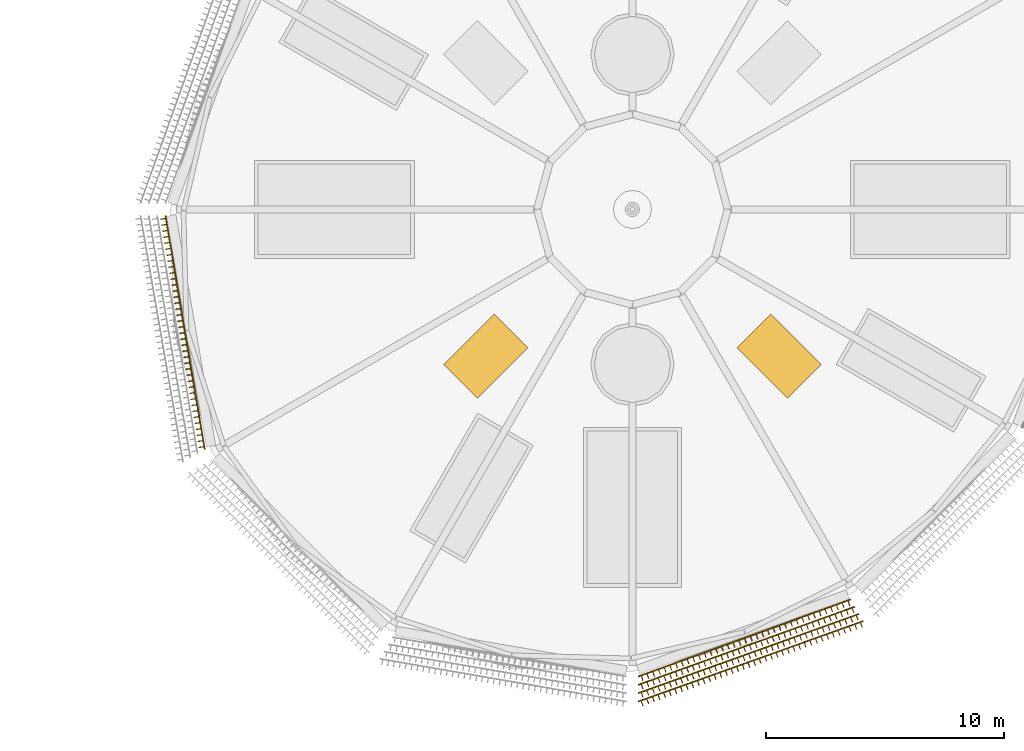
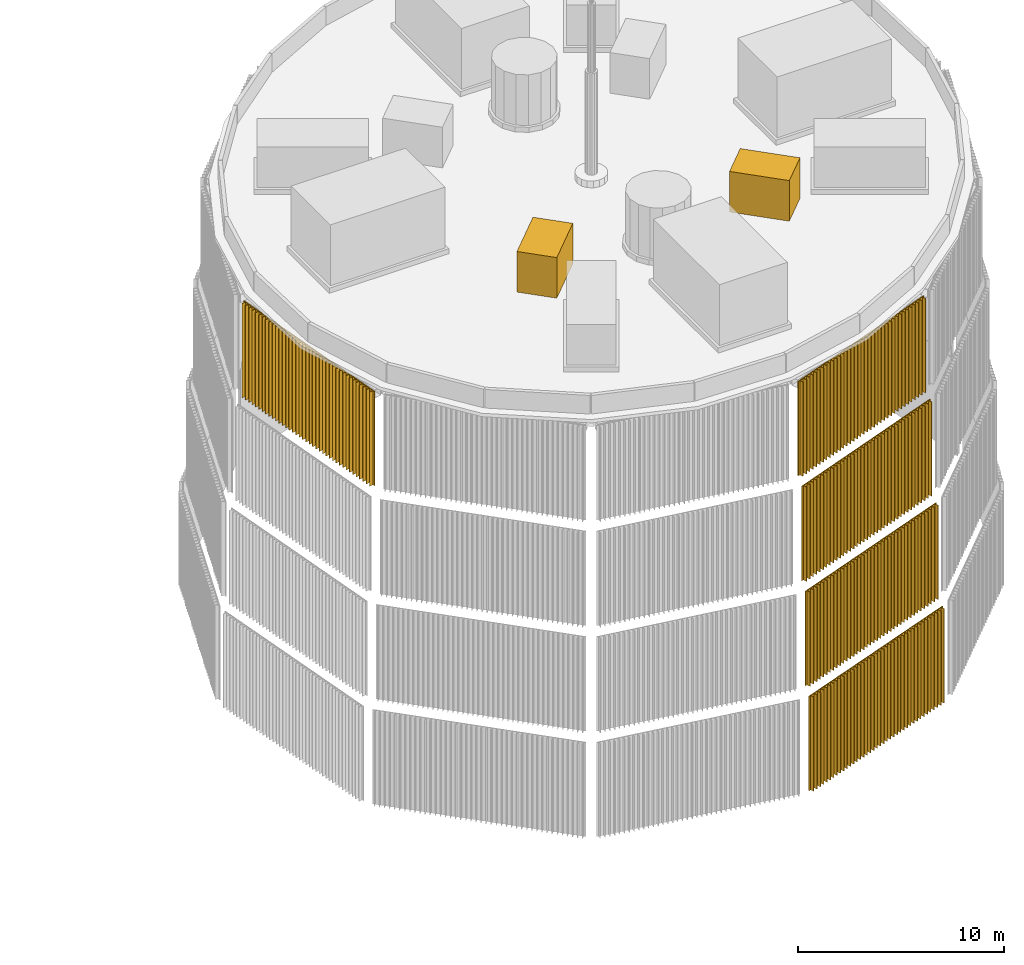
# One storey, part 15 of 24: 7 coverings.
"""IFC4 building model written with IfcOpenShell, lengths in metres."""

from ifc_helpers import new_model, si_unit, direction, frame, origin, place, context, subcontext, project, spatial, polyline, outline, extrude, material, type_object, element, save


model = new_model("IFC4")

# Units and contexts
model_context = context("Model", 3, precision=1e-05, world=origin(), true_north=direction((0.0, 1.0)))
body_context = subcontext(model_context, "Body", "Model", "MODEL_VIEW")
ifc_project = project(units=[si_unit("LENGTHUNIT", "METRE"), si_unit("AREAUNIT", "SQUARE_METRE"), si_unit("VOLUMEUNIT", "CUBIC_METRE"), si_unit("PLANEANGLEUNIT", "RADIAN"), si_unit("MASSUNIT", "GRAM", prefix="KILO")], contexts=[model_context])

# Site, building, storey
site_placement = place(None, origin())
site = spatial("IfcSite", under=ifc_project, at=site_placement, CompositionType="ELEMENT")
building_placement = place(site_placement, origin())
building = spatial("IfcBuilding", under=site, at=building_placement, Name="Rimbun Link Towers", CompositionType="ELEMENT")
storey_placement = place(building_placement, frame((0.0, 0.0, 294.89990234375)))
storey = spatial("IfcBuildingStorey", under=building, at=storey_placement, Name="Roof cap", CompositionType="ELEMENT", Elevation=294.89990234375)

# Coverings
ifc_material_1 = material(Name="Aluminium 6063-T6", Category="aluminium")
covering_type_1 = type_object("IfcCoveringType", Name="ROOF PLANT louvred enclosure 3000X2000X2400", PredefinedType="CLADDING", material=ifc_material_1)
covering_1_placement = place(storey_placement, frame((0.0, 0.0, 0.7001953125)))
element("IfcCovering", 1, at=covering_1_placement, inside=storey, type_object=covering_type_1, Name="ROOF PLANT louvred enclosure", PredefinedType="CLADDING", context=body_context, shape_type="SweptSolid", body=[
    extrude(outline(polyline([(25.95068359375, -4.385009765625), (23.829345703125, -6.50634765625), (25.24365234375, -7.920654296875), (27.364990234375, -5.79931640625), (25.95068359375, -4.385009765625)])), origin(), (0.0, 0.0, 1.0), 2.39990234375),
])
covering_2_placement = place(storey_placement, frame((0.0, 0.0, 0.7001953125)))
element("IfcCovering", 2, at=covering_2_placement, inside=storey, type_object=covering_type_1, Name="ROOF PLANT louvred enclosure", PredefinedType="CLADDING", context=body_context, shape_type="SweptSolid", body=[
    extrude(outline(polyline([(36.135009765625, -5.79931640625), (38.25634765625, -7.920654296875), (39.670654296875, -6.50634765625), (37.54931640625, -4.385009765625), (36.135009765625, -5.79931640625)])), origin(), (0.0, 0.0, 1.0), 2.39990234375),
])
ifc_material_2 = material(Name="Terracotta", Category="masonry")
covering_type_2 = type_object("IfcCoveringType", Name="TERRACOTTA CLADDING screen fins", PredefinedType="CLADDING", material=ifc_material_2)
covering_3_placement = place(storey_placement, frame((0.0, 0.0, -23.087890625)))
element("IfcCovering", 3, at=covering_3_placement, inside=storey, type_object=covering_type_2, Name="TERRACOTTA CLADDING screen", PredefinedType="CLADDING", context=body_context, shape_type="SweptSolid", body=[
    extrude(outline(polyline([(32.00390625, -20.668701171875), (32.10791015625, -20.631591796875), (32.17529296875, -20.81982421875), (32.203369140625, -20.809814453125), (32.135986328125, -20.621337890625), (32.34375, -20.547119140625), (32.4111328125, -20.7353515625), (32.439453125, -20.725341796875), (32.3720703125, -20.537109375), (32.57958984375, -20.462646484375), (32.64697265625, -20.65087890625), (32.67529296875, -20.640869140625), (32.60791015625, -20.45263671875), (32.815673828125, -20.37841796875), (32.883056640625, -20.566650390625), (32.9111328125, -20.556396484375), (32.843994140625, -20.3681640625), (33.051513671875, -20.2939453125), (33.118896484375, -20.482177734375), (33.147216796875, -20.47216796875), (33.079833984375, -20.28369140625), (33.28759765625, -20.20947265625), (33.354736328125, -20.397705078125), (33.383056640625, -20.3876953125), (33.315673828125, -20.199462890625), (33.5234375, -20.125), (33.5908203125, -20.3134765625), (33.618896484375, -20.303466796875), (33.551513671875, -20.114990234375), (33.75927734375, -20.040771484375), (33.82666015625, -20.22900390625), (33.85498046875, -20.218994140625), (33.78759765625, -20.03076171875), (33.9951171875, -19.956298828125), (34.0625, -20.144775390625), (34.0908203125, -20.134521484375), (34.0234375, -19.9462890625), (34.231201171875, -19.8720703125), (34.298583984375, -20.060302734375), (34.326904296875, -20.05029296875), (34.259521484375, -19.86181640625), (34.467041015625, -19.78759765625), (34.534423828125, -19.975830078125), (34.562744140625, -19.9658203125), (34.495361328125, -19.777587890625), (34.702880859375, -19.703125), (34.7705078125, -19.8916015625), (34.798583984375, -19.88134765625), (34.731201171875, -19.693115234375), (34.93896484375, -19.618896484375), (35.00634765625, -19.80712890625), (35.034423828125, -19.797119140625), (34.96728515625, -19.608642578125), (35.1748046875, -19.534423828125), (35.2421875, -19.722900390625), (35.2705078125, -19.712646484375), (35.203125, -19.5244140625), (35.410888671875, -19.4501953125), (35.47802734375, -19.638427734375), (35.50634765625, -19.62841796875), (35.43896484375, -19.43994140625), (35.646728515625, -19.36572265625), (35.714111328125, -19.553955078125), (35.7421875, -19.5439453125), (35.6748046875, -19.355712890625), (35.882568359375, -19.28125), (35.949951171875, -19.469482421875), (35.978271484375, -19.45947265625), (35.910888671875, -19.271240234375), (36.118408203125, -19.197021484375), (36.185791015625, -19.38525390625), (36.214111328125, -19.375), (36.146728515625, -19.186767578125), (36.3544921875, -19.112548828125), (36.421875, -19.30078125), (36.4501953125, -19.290771484375), (36.3828125, -19.102294921875), (36.59033203125, -19.028076171875), (36.65771484375, -19.21630859375), (36.68603515625, -19.206298828125), (36.61865234375, -19.01806640625), (36.826416015625, -18.943603515625), (36.893798828125, -19.132080078125), (36.921875, -19.1220703125), (36.8544921875, -18.93359375), (37.062255859375, -18.859375), (37.129638671875, -19.047607421875), (37.15771484375, -19.03759765625), (37.090576171875, -18.849365234375), (37.298095703125, -18.77490234375), (37.365478515625, -18.96337890625), (37.393798828125, -18.953125), (37.326416015625, -18.764892578125), (37.5341796875, -18.690673828125), (37.601318359375, -18.87890625), (37.629638671875, -18.868896484375), (37.562255859375, -18.680419921875), (37.77001953125, -18.606201171875), (37.83740234375, -18.79443359375), (37.865478515625, -18.784423828125), (37.798095703125, -18.59619140625), (38.005859375, -18.521728515625), (38.0732421875, -18.710205078125), (38.1015625, -18.699951171875), (38.0341796875, -18.51171875), (38.24169921875, -18.4375), (38.30908203125, -18.625732421875), (38.33740234375, -18.615478515625), (38.27001953125, -18.42724609375), (38.477783203125, -18.35302734375), (38.545166015625, -18.54150390625), (38.573486328125, -18.53125), (38.506103515625, -18.343017578125), (38.713623046875, -18.268798828125), (38.781005859375, -18.45703125), (38.809326171875, -18.447021484375), (38.741943359375, -18.258544921875), (38.94970703125, -18.184326171875), (39.01708984375, -18.37255859375), (39.045166015625, -18.362548828125), (38.977783203125, -18.17431640625), (39.185546875, -18.099853515625), (39.2529296875, -18.2880859375), (39.281005859375, -18.278076171875), (39.2138671875, -18.08984375), (39.42138671875, -18.015380859375), (39.48876953125, -18.203857421875), (39.51708984375, -18.193603515625), (39.44970703125, -18.00537109375), (39.657470703125, -17.93115234375), (39.724609375, -18.119384765625), (39.7529296875, -18.109375), (39.685546875, -17.9208984375), (39.893310546875, -17.8466796875), (39.960693359375, -18.034912109375), (39.989013671875, -18.02490234375), (39.921630859375, -17.836669921875), (40.129150390625, -17.76220703125), (40.196533203125, -17.95068359375), (40.224853515625, -17.940673828125), (40.157470703125, -17.752197265625), (40.365234375, -17.677978515625), (40.4326171875, -17.8662109375), (40.460693359375, -17.856201171875), (40.393310546875, -17.667724609375), (40.60107421875, -17.593505859375), (40.66845703125, -17.781982421875), (40.69677734375, -17.771728515625), (40.62939453125, -17.58349609375), (40.8369140625, -17.50927734375), (40.904296875, -17.697509765625), (40.9326171875, -17.6875), (40.865234375, -17.4990234375), (41.072998046875, -17.4248046875), (41.140380859375, -17.613037109375), (41.16845703125, -17.60302734375), (41.101318359375, -17.414794921875), (41.308837890625, -17.34033203125), (41.376220703125, -17.52880859375), (41.404541015625, -17.5185546875), (41.337158203125, -17.330322265625), (41.44091796875, -17.293212890625), (41.41552734375, -17.249267578125), (32.00390625, -20.615478515625), (32.00390625, -20.668701171875)])), origin(), (0.0, 0.0, 1.0), 5.575927734375),
])
covering_4_placement = place(storey_placement, frame((0.0, 0.0, -17.087890625)))
element("IfcCovering", 4, at=covering_4_placement, inside=storey, type_object=covering_type_2, Name="TERRACOTTA CLADDING screen", PredefinedType="CLADDING", context=body_context, shape_type="SweptSolid", body=[
    extrude(outline(polyline([(32.00390625, -20.318603515625), (32.108642578125, -20.281005859375), (32.17626953125, -20.46923828125), (32.20458984375, -20.458984375), (32.136962890625, -20.27099609375), (32.34619140625, -20.19580078125), (32.413818359375, -20.3837890625), (32.44189453125, -20.373779296875), (32.374267578125, -20.185546875), (32.58349609375, -20.1103515625), (32.651123046875, -20.298583984375), (32.679443359375, -20.288330078125), (32.61181640625, -20.10009765625), (32.821044921875, -20.02490234375), (32.888671875, -20.213134765625), (32.9169921875, -20.203125), (32.849365234375, -20.014892578125), (33.05859375, -19.939697265625), (33.126220703125, -20.1279296875), (33.154296875, -20.11767578125), (33.0869140625, -19.929443359375), (33.296142578125, -19.854248046875), (33.36376953125, -20.04248046875), (33.391845703125, -20.032470703125), (33.32421875, -19.843994140625), (33.533447265625, -19.768798828125), (33.601318359375, -19.957275390625), (33.62939453125, -19.947021484375), (33.561767578125, -19.7587890625), (33.77099609375, -19.68359375), (33.838623046875, -19.871826171875), (33.866943359375, -19.86181640625), (33.79931640625, -19.67333984375), (34.008544921875, -19.59814453125), (34.076171875, -19.78662109375), (34.1044921875, -19.7763671875), (34.03662109375, -19.588134765625), (34.24609375, -19.512939453125), (34.313720703125, -19.701171875), (34.341796875, -19.69091796875), (34.274169921875, -19.502685546875), (34.4833984375, -19.427490234375), (34.551025390625, -19.61572265625), (34.579345703125, -19.605712890625), (34.51171875, -19.41748046875), (34.720947265625, -19.34228515625), (34.78857421875, -19.530517578125), (34.81689453125, -19.520263671875), (34.749267578125, -19.33203125), (34.95849609375, -19.2568359375), (35.026123046875, -19.445068359375), (35.05419921875, -19.434814453125), (34.98681640625, -19.24658203125), (35.19580078125, -19.17138671875), (35.263671875, -19.359619140625), (35.291748046875, -19.349609375), (35.22412109375, -19.161376953125), (35.433349609375, -19.086181640625), (35.501220703125, -19.2744140625), (35.529296875, -19.26416015625), (35.461669921875, -19.075927734375), (35.6708984375, -19.000732421875), (35.738525390625, -19.18896484375), (35.766845703125, -19.178955078125), (35.69921875, -18.99072265625), (35.908447265625, -18.91552734375), (35.97607421875, -19.103759765625), (36.00439453125, -19.093505859375), (35.9365234375, -18.9052734375), (36.14599609375, -18.830078125), (36.21337890625, -19.018310546875), (36.24169921875, -19.00830078125), (36.174072265625, -18.820068359375), (36.38330078125, -18.744873046875), (36.450927734375, -18.93310546875), (36.479248046875, -18.9228515625), (36.41162109375, -18.734619140625), (36.620849609375, -18.659423828125), (36.6884765625, -18.84765625), (36.716796875, -18.83740234375), (36.649169921875, -18.6494140625), (36.8583984375, -18.57421875), (36.926025390625, -18.76220703125), (36.9541015625, -18.752197265625), (36.88671875, -18.56396484375), (37.095703125, -18.48876953125), (37.16357421875, -18.677001953125), (37.191650390625, -18.666748046875), (37.1240234375, -18.478515625), (37.333251953125, -18.4033203125), (37.40087890625, -18.591552734375), (37.42919921875, -18.581298828125), (37.361572265625, -18.393310546875), (37.57080078125, -18.318115234375), (37.638427734375, -18.506103515625), (37.666748046875, -18.49609375), (37.59912109375, -18.307861328125), (37.808349609375, -18.232666015625), (37.8759765625, -18.4208984375), (37.904296875, -18.41064453125), (37.83642578125, -18.222412109375), (38.0458984375, -18.147216796875), (38.11328125, -18.33544921875), (38.1416015625, -18.325439453125), (38.073974609375, -18.13720703125), (38.283203125, -18.06201171875), (38.350830078125, -18.250244140625), (38.379150390625, -18.239990234375), (38.3115234375, -18.0517578125), (38.520751953125, -17.9765625), (38.58837890625, -18.164794921875), (38.61669921875, -18.15478515625), (38.549072265625, -17.966552734375), (38.75830078125, -17.891357421875), (38.825927734375, -18.07958984375), (38.85400390625, -18.0693359375), (38.78662109375, -17.881103515625), (38.99560546875, -17.805908203125), (39.063232421875, -17.994140625), (39.091552734375, -17.98388671875), (39.02392578125, -17.7958984375), (39.233154296875, -17.720703125), (39.30078125, -17.90869140625), (39.3291015625, -17.898681640625), (39.261474609375, -17.71044921875), (39.470703125, -17.63525390625), (39.538330078125, -17.823486328125), (39.56640625, -17.813232421875), (39.498779296875, -17.625), (39.708251953125, -17.5498046875), (39.77587890625, -17.738037109375), (39.803955078125, -17.72802734375), (39.736328125, -17.539794921875), (39.945556640625, -17.464599609375), (40.01318359375, -17.65283203125), (40.04150390625, -17.642578125), (39.973876953125, -17.454345703125), (40.18310546875, -17.379150390625), (40.250732421875, -17.5673828125), (40.279052734375, -17.557373046875), (40.21142578125, -17.368896484375), (40.420654296875, -17.293701171875), (40.48828125, -17.482177734375), (40.5166015625, -17.471923828125), (40.448974609375, -17.28369140625), (40.658203125, -17.20849609375), (40.7255859375, -17.396728515625), (40.75390625, -17.38671875), (40.686279296875, -17.1982421875), (40.8955078125, -17.123046875), (40.963134765625, -17.311279296875), (40.991455078125, -17.30126953125), (40.923828125, -17.113037109375), (41.133056640625, -17.037841796875), (41.20068359375, -17.22607421875), (41.22900390625, -17.2158203125), (41.161376953125, -17.027587890625), (41.265869140625, -16.989990234375), (41.240478515625, -16.946044921875), (32.00390625, -20.265380859375), (32.00390625, -20.318603515625)])), origin(), (0.0, 0.0, 1.0), 5.575927734375),
])
covering_5_placement = place(storey_placement, frame((0.0, 0.0, -11.087890625)))
element("IfcCovering", 5, at=covering_5_placement, inside=storey, type_object=covering_type_2, Name="TERRACOTTA CLADDING screen", PredefinedType="CLADDING", context=body_context, shape_type="SweptSolid", body=[
    extrude(outline(polyline([(32.00390625, -19.96875), (32.109619140625, -19.9306640625), (32.177490234375, -20.11865234375), (32.20556640625, -20.1083984375), (32.1376953125, -19.92041015625), (32.3486328125, -19.84423828125), (32.41650390625, -20.0322265625), (32.444580078125, -20.022216796875), (32.376708984375, -19.833984375), (32.587646484375, -19.7578125), (32.65576171875, -19.946044921875), (32.683837890625, -19.935791015625), (32.615966796875, -19.747802734375), (32.826904296875, -19.67138671875), (32.894775390625, -19.859619140625), (32.923095703125, -19.849365234375), (32.85498046875, -19.661376953125), (33.06591796875, -19.585205078125), (33.1337890625, -19.773193359375), (33.162109375, -19.762939453125), (33.09423828125, -19.574951171875), (33.30517578125, -19.498779296875), (33.373046875, -19.68701171875), (33.4013671875, -19.6767578125), (33.333251953125, -19.488525390625), (33.544189453125, -19.412353515625), (33.6123046875, -19.6005859375), (33.640380859375, -19.59033203125), (33.572509765625, -19.402099609375), (33.783447265625, -19.325927734375), (33.851318359375, -19.51416015625), (33.87939453125, -19.50390625), (33.8115234375, -19.31591796875), (34.0224609375, -19.23974609375), (34.09033203125, -19.427734375), (34.11865234375, -19.41748046875), (34.05078125, -19.2294921875), (34.26171875, -19.1533203125), (34.32958984375, -19.34130859375), (34.35791015625, -19.331298828125), (34.289794921875, -19.14306640625), (34.500732421875, -19.06689453125), (34.568603515625, -19.255126953125), (34.596923828125, -19.244873046875), (34.529052734375, -19.056884765625), (34.739990234375, -18.980712890625), (34.807861328125, -19.168701171875), (34.8359375, -19.158447265625), (34.76806640625, -18.970458984375), (34.97900390625, -18.894287109375), (35.046875, -19.08251953125), (35.0751953125, -19.072265625), (35.007080078125, -18.884033203125), (35.218017578125, -18.807861328125), (35.2861328125, -18.99609375), (35.314208984375, -18.98583984375), (35.246337890625, -18.797607421875), (35.457275390625, -18.721435546875), (35.525146484375, -18.90966796875), (35.553466796875, -18.8994140625), (35.485595703125, -18.711181640625), (35.6962890625, -18.63525390625), (35.764404296875, -18.8232421875), (35.79248046875, -18.81298828125), (35.724609375, -18.625), (35.935546875, -18.548828125), (36.00341796875, -18.73681640625), (36.03173828125, -18.726806640625), (35.963623046875, -18.53857421875), (36.1748046875, -18.46240234375), (36.24267578125, -18.650390625), (36.270751953125, -18.640380859375), (36.202880859375, -18.4521484375), (36.413818359375, -18.376220703125), (36.481689453125, -18.564208984375), (36.510009765625, -18.553955078125), (36.44189453125, -18.365966796875), (36.65283203125, -18.289794921875), (36.720947265625, -18.477783203125), (36.7490234375, -18.467529296875), (36.68115234375, -18.279541015625), (36.89208984375, -18.203369140625), (36.9599609375, -18.3916015625), (36.98828125, -18.38134765625), (36.92041015625, -18.193115234375), (37.131103515625, -18.116943359375), (37.19921875, -18.30517578125), (37.227294921875, -18.294921875), (37.159423828125, -18.106689453125), (37.370361328125, -18.030517578125), (37.438232421875, -18.21875), (37.466552734375, -18.20849609375), (37.3984375, -18.0205078125), (37.609375, -17.9443359375), (37.677490234375, -18.13232421875), (37.70556640625, -18.122314453125), (37.6376953125, -17.93408203125), (37.8486328125, -17.85791015625), (37.91650390625, -18.0458984375), (37.944580078125, -18.035888671875), (37.876708984375, -17.84765625), (38.087646484375, -17.771484375), (38.155517578125, -17.959716796875), (38.183837890625, -17.949462890625), (38.115966796875, -17.761474609375), (38.326904296875, -17.685302734375), (38.394775390625, -17.873291015625), (38.423095703125, -17.863037109375), (38.35498046875, -17.675048828125), (38.56591796875, -17.598876953125), (38.6337890625, -17.786865234375), (38.662109375, -17.776611328125), (38.59423828125, -17.588623046875), (38.80517578125, -17.512451171875), (38.873046875, -17.70068359375), (38.901123046875, -17.6904296875), (38.833251953125, -17.502197265625), (39.044189453125, -17.426025390625), (39.1123046875, -17.6142578125), (39.140380859375, -17.60400390625), (39.072509765625, -17.416015625), (39.283203125, -17.339599609375), (39.351318359375, -17.52783203125), (39.37939453125, -17.517578125), (39.3115234375, -17.32958984375), (39.5224609375, -17.25341796875), (39.59033203125, -17.44140625), (39.61865234375, -17.431396484375), (39.55078125, -17.2431640625), (39.76171875, -17.1669921875), (39.82958984375, -17.35498046875), (39.85791015625, -17.344970703125), (39.789794921875, -17.15673828125), (40.000732421875, -17.080810546875), (40.068603515625, -17.268798828125), (40.096923828125, -17.258544921875), (40.029052734375, -17.070556640625), (40.239990234375, -16.994384765625), (40.307861328125, -17.182373046875), (40.3359375, -17.172119140625), (40.26806640625, -16.984130859375), (40.47900390625, -16.907958984375), (40.546875, -17.095947265625), (40.5751953125, -17.0859375), (40.507080078125, -16.897705078125), (40.718017578125, -16.821533203125), (40.7861328125, -17.009765625), (40.814208984375, -16.99951171875), (40.746337890625, -16.811279296875), (40.957275390625, -16.735107421875), (41.025146484375, -16.92333984375), (41.053466796875, -16.9130859375), (40.985595703125, -16.72509765625), (41.0908203125, -16.68701171875), (41.0654296875, -16.64306640625), (32.00390625, -19.91552734375), (32.00390625, -19.96875)])), origin(), (0.0, 0.0, 1.0), 5.575927734375),
])
covering_6_placement = place(storey_placement, frame((0.0, 0.0, -5.087890625)))
element("IfcCovering", 6, at=covering_6_placement, inside=storey, type_object=covering_type_2, Name="TERRACOTTA CLADDING screen", PredefinedType="CLADDING", context=body_context, shape_type="SweptSolid", body=[
    extrude(outline(polyline([(12.1337890625, -0.25390625), (12.152587890625, -0.365234375), (11.955322265625, -0.398193359375), (11.960205078125, -0.427978515625), (12.157470703125, -0.394775390625), (12.19482421875, -0.6171875), (11.99755859375, -0.650146484375), (12.002685546875, -0.6796875), (12.19970703125, -0.646728515625), (12.2373046875, -0.868896484375), (12.039794921875, -0.902099609375), (12.044921875, -0.931640625), (12.2421875, -0.898681640625), (12.279541015625, -1.120849609375), (12.082275390625, -1.154052734375), (12.08740234375, -1.18359375), (12.284423828125, -1.150390625), (12.322021484375, -1.372802734375), (12.12451171875, -1.406005859375), (12.129638671875, -1.435546875), (12.326904296875, -1.40234375), (12.3642578125, -1.624755859375), (12.1669921875, -1.657958984375), (12.172119140625, -1.6875), (12.369140625, -1.654296875), (12.406494140625, -1.876708984375), (12.209228515625, -1.909912109375), (12.21435546875, -1.939453125), (12.41162109375, -1.90625), (12.448974609375, -2.128662109375), (12.251708984375, -2.16162109375), (12.256591796875, -2.19140625), (12.453857421875, -2.158203125), (12.4912109375, -2.380615234375), (12.2939453125, -2.41357421875), (12.299072265625, -2.443115234375), (12.49609375, -2.41015625), (12.53369140625, -2.63232421875), (12.33642578125, -2.66552734375), (12.34130859375, -2.695068359375), (12.53857421875, -2.662109375), (12.575927734375, -2.88427734375), (12.378662109375, -2.91748046875), (12.3837890625, -2.947021484375), (12.580810546875, -2.913818359375), (12.618408203125, -3.13623046875), (12.421142578125, -3.16943359375), (12.426025390625, -3.198974609375), (12.623291015625, -3.165771484375), (12.66064453125, -3.38818359375), (12.46337890625, -3.42138671875), (12.468505859375, -3.450927734375), (12.66552734375, -3.417724609375), (12.702880859375, -3.639892578125), (12.505859375, -3.673095703125), (12.5107421875, -3.702880859375), (12.7080078125, -3.669677734375), (12.745361328125, -3.891845703125), (12.548095703125, -3.925048828125), (12.552978515625, -3.95458984375), (12.750244140625, -3.92138671875), (12.78759765625, -4.143798828125), (12.590576171875, -4.177001953125), (12.595458984375, -4.20654296875), (12.792724609375, -4.17333984375), (12.830078125, -4.395751953125), (12.6328125, -4.428955078125), (12.6376953125, -4.45849609375), (12.8349609375, -4.42529296875), (12.872314453125, -4.647705078125), (12.67529296875, -4.680908203125), (12.68017578125, -4.71044921875), (12.87744140625, -4.67724609375), (12.914794921875, -4.899658203125), (12.717529296875, -4.932861328125), (12.722412109375, -4.96240234375), (12.919677734375, -4.92919921875), (12.95703125, -5.151611328125), (12.759765625, -5.184814453125), (12.764892578125, -5.21435546875), (12.962158203125, -5.18115234375), (12.99951171875, -5.4033203125), (12.80224609375, -5.4365234375), (12.80712890625, -5.46630859375), (13.00439453125, -5.43310546875), (13.041748046875, -5.6552734375), (12.844482421875, -5.6884765625), (12.849609375, -5.718017578125), (13.046630859375, -5.684814453125), (13.083984375, -5.9072265625), (12.886962890625, -5.9404296875), (12.891845703125, -5.969970703125), (13.089111328125, -5.936767578125), (13.12646484375, -6.1591796875), (12.92919921875, -6.1923828125), (12.93408203125, -6.221923828125), (13.13134765625, -6.188720703125), (13.168701171875, -6.4111328125), (12.9716796875, -6.444091796875), (12.9765625, -6.473876953125), (13.173828125, -6.440673828125), (13.211181640625, -6.6630859375), (13.013916015625, -6.696044921875), (13.018798828125, -6.7255859375), (13.216064453125, -6.692626953125), (13.25341796875, -6.914794921875), (13.056396484375, -6.947998046875), (13.061279296875, -6.9775390625), (13.258544921875, -6.944580078125), (13.2958984375, -7.166748046875), (13.0986328125, -7.199951171875), (13.103515625, -7.2294921875), (13.30078125, -7.1962890625), (13.338134765625, -7.418701171875), (13.14111328125, -7.451904296875), (13.14599609375, -7.4814453125), (13.34326171875, -7.4482421875), (13.380615234375, -7.670654296875), (13.183349609375, -7.703857421875), (13.188232421875, -7.7333984375), (13.385498046875, -7.7001953125), (13.4228515625, -7.922607421875), (13.2255859375, -7.955810546875), (13.230712890625, -7.9853515625), (13.427978515625, -7.9521484375), (13.465087890625, -8.174560546875), (13.26806640625, -8.20751953125), (13.27294921875, -8.2373046875), (13.47021484375, -8.2041015625), (13.507568359375, -8.426513671875), (13.310302734375, -8.45947265625), (13.315185546875, -8.489013671875), (13.5126953125, -8.4560546875), (13.5498046875, -8.67822265625), (13.352783203125, -8.71142578125), (13.357666015625, -8.740966796875), (13.554931640625, -8.7080078125), (13.59228515625, -8.93017578125), (13.39501953125, -8.96337890625), (13.39990234375, -8.992919921875), (13.597412109375, -8.959716796875), (13.634521484375, -9.18212890625), (13.4375, -9.21533203125), (13.4423828125, -9.244873046875), (13.6396484375, -9.211669921875), (13.677001953125, -9.43408203125), (13.479736328125, -9.46728515625), (13.484619140625, -9.496826171875), (13.681884765625, -9.463623046875), (13.71923828125, -9.68603515625), (13.522216796875, -9.718994140625), (13.527099609375, -9.748779296875), (13.724365234375, -9.715576171875), (13.76171875, -9.93798828125), (13.564453125, -9.970947265625), (13.5693359375, -10.00048828125), (13.7666015625, -9.96728515625), (13.785400390625, -10.07861328125), (13.83154296875, -10.052001953125), (12.1845703125, -0.25390625), (12.1337890625, -0.25390625)])), origin(), (0.0, 0.0, 1.0), 5.575927734375),
])
covering_7_placement = place(storey_placement, frame((0.0, 0.0, -5.087890625)))
element("IfcCovering", 7, at=covering_7_placement, inside=storey, type_object=covering_type_2, Name="TERRACOTTA CLADDING screen", PredefinedType="CLADDING", context=body_context, shape_type="SweptSolid", body=[
    extrude(outline(polyline([(32.00390625, -19.61865234375), (32.1103515625, -19.580078125), (32.1787109375, -19.76806640625), (32.206787109375, -19.7578125), (32.138427734375, -19.56982421875), (32.351318359375, -19.49267578125), (32.41943359375, -19.6806640625), (32.447509765625, -19.67041015625), (32.37939453125, -19.482421875), (32.592041015625, -19.4052734375), (32.660400390625, -19.59326171875), (32.6884765625, -19.5830078125), (32.620361328125, -19.39501953125), (32.8330078125, -19.31787109375), (32.901123046875, -19.505859375), (32.929443359375, -19.49560546875), (32.861083984375, -19.3076171875), (33.07373046875, -19.23046875), (33.14208984375, -19.41845703125), (33.170166015625, -19.408203125), (33.10205078125, -19.22021484375), (33.314697265625, -19.14306640625), (33.3828125, -19.330810546875), (33.4111328125, -19.32080078125), (33.3427734375, -19.1328125), (33.555419921875, -19.055419921875), (33.623779296875, -19.243408203125), (33.65185546875, -19.2333984375), (33.583740234375, -19.04541015625), (33.79638671875, -18.968017578125), (33.864501953125, -19.156005859375), (33.892822265625, -19.14599609375), (33.82470703125, -18.9580078125), (34.037109375, -18.880615234375), (34.10546875, -19.068603515625), (34.1337890625, -19.058349609375), (34.0654296875, -18.870361328125), (34.278076171875, -18.793212890625), (34.34619140625, -18.981201171875), (34.37451171875, -18.970947265625), (34.306396484375, -18.782958984375), (34.51904296875, -18.705810546875), (34.587158203125, -18.893798828125), (34.615478515625, -18.883544921875), (34.547119140625, -18.695556640625), (34.759765625, -18.618408203125), (34.828125, -18.806396484375), (34.856201171875, -18.796142578125), (34.7880859375, -18.608154296875), (35.000732421875, -18.531005859375), (35.06884765625, -18.718994140625), (35.09716796875, -18.708740234375), (35.02880859375, -18.520751953125), (35.241455078125, -18.443603515625), (35.309814453125, -18.631591796875), (35.337890625, -18.621337890625), (35.269775390625, -18.433349609375), (35.482421875, -18.356201171875), (35.550537109375, -18.544189453125), (35.578857421875, -18.533935546875), (35.510498046875, -18.345947265625), (35.723388671875, -18.268798828125), (35.79150390625, -18.456787109375), (35.819580078125, -18.4462890625), (35.75146484375, -18.25830078125), (35.964111328125, -18.18115234375), (36.032470703125, -18.369140625), (36.060546875, -18.35888671875), (35.9921875, -18.1708984375), (36.205078125, -18.09375), (36.273193359375, -18.28173828125), (36.301513671875, -18.271484375), (36.233154296875, -18.08349609375), (36.44580078125, -18.00634765625), (36.51416015625, -18.1943359375), (36.542236328125, -18.18408203125), (36.47412109375, -17.99609375), (36.686767578125, -17.9189453125), (36.7548828125, -18.10693359375), (36.783203125, -18.0966796875), (36.71484375, -17.90869140625), (36.927490234375, -17.83154296875), (36.995849609375, -18.01953125), (37.02392578125, -18.00927734375), (36.955810546875, -17.8212890625), (37.16845703125, -17.744140625), (37.23681640625, -17.93212890625), (37.264892578125, -17.921875), (37.196533203125, -17.73388671875), (37.4091796875, -17.65673828125), (37.4775390625, -17.8447265625), (37.505859375, -17.83447265625), (37.4375, -17.646484375), (37.650146484375, -17.569091796875), (37.718505859375, -17.757080078125), (37.74658203125, -17.7470703125), (37.678466796875, -17.55908203125), (37.89111328125, -17.481689453125), (37.959228515625, -17.669921875), (37.987548828125, -17.65966796875), (37.919189453125, -17.4716796875), (38.1318359375, -17.394287109375), (38.2001953125, -17.58251953125), (38.228271484375, -17.572021484375), (38.16015625, -17.384033203125), (38.372802734375, -17.306884765625), (38.44091796875, -17.494873046875), (38.46923828125, -17.484619140625), (38.40087890625, -17.296630859375), (38.613525390625, -17.219482421875), (38.681884765625, -17.407470703125), (38.710205078125, -17.397216796875), (38.641845703125, -17.209228515625), (38.8544921875, -17.132080078125), (38.922607421875, -17.320068359375), (38.950927734375, -17.309814453125), (38.8828125, -17.121826171875), (39.09521484375, -17.044677734375), (39.16357421875, -17.232666015625), (39.19189453125, -17.222412109375), (39.12353515625, -17.034423828125), (39.336181640625, -16.957275390625), (39.404541015625, -17.145263671875), (39.4326171875, -17.135009765625), (39.364501953125, -16.947021484375), (39.5771484375, -16.869873046875), (39.645263671875, -17.057861328125), (39.673583984375, -17.047607421875), (39.605224609375, -16.859619140625), (39.81787109375, -16.782470703125), (39.88623046875, -16.970458984375), (39.914306640625, -16.960205078125), (39.84619140625, -16.772216796875), (40.058837890625, -16.69482421875), (40.126953125, -16.8828125), (40.1552734375, -16.872802734375), (40.0869140625, -16.684814453125), (40.2998046875, -16.607421875), (40.367919921875, -16.79541015625), (40.39599609375, -16.785400390625), (40.327880859375, -16.597412109375), (40.54052734375, -16.52001953125), (40.60888671875, -16.7080078125), (40.636962890625, -16.69775390625), (40.568603515625, -16.510009765625), (40.781494140625, -16.4326171875), (40.849609375, -16.62060546875), (40.877685546875, -16.6103515625), (40.8095703125, -16.42236328125), (40.916015625, -16.3837890625), (40.890380859375, -16.33984375), (32.00390625, -19.5654296875), (32.00390625, -19.61865234375)])), origin(), (0.0, 0.0, 1.0), 5.575927734375),
])

save(model, "model.ifc")
